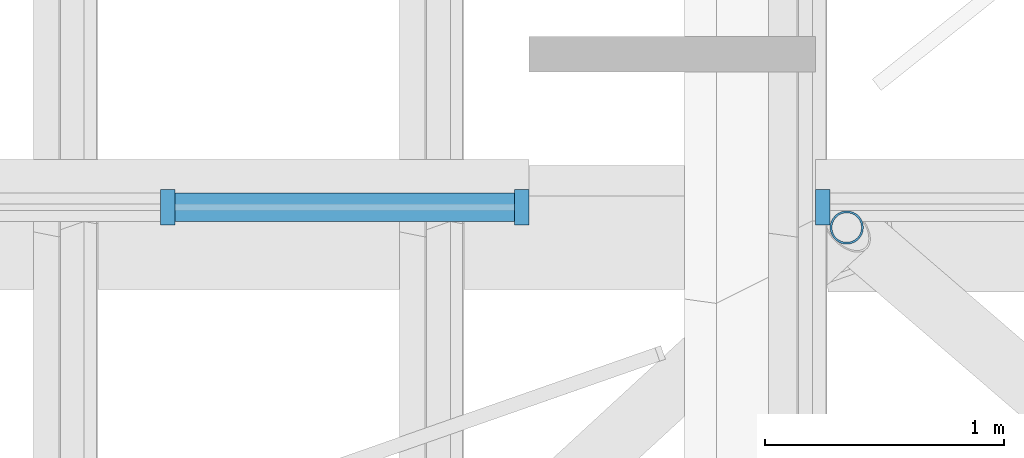
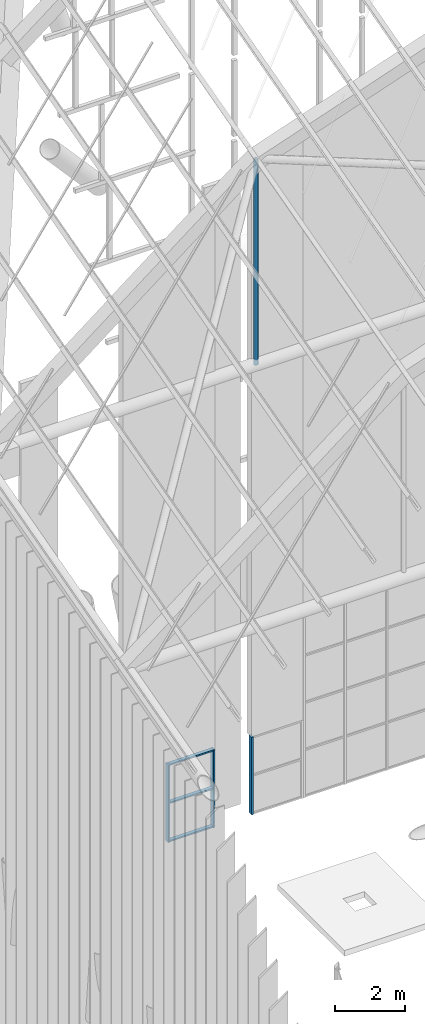
# One storey, part 54 of 126: 7 members, 2 elements without a shape of their own.
"""IFC4 building model written with IfcOpenShell, lengths in metres."""

from ifc_helpers import new_model, si_unit, direction, frame, origin, origin_2d, place, context, subcontext, project, spatial, rectangle, hollow_circle, extrude, material, material_profile, profile_set, type_object, element, aggregate, save


model = new_model("IFC4")

# Units and contexts
model_context = context("Model", 3, precision=1e-05, world=origin(), true_north=direction((0.0, 1.0)))
body_context = subcontext(model_context, "Body", "Model", "MODEL_VIEW")
ifc_project = project(units=[si_unit("LENGTHUNIT", "METRE"), si_unit("AREAUNIT", "SQUARE_METRE"), si_unit("VOLUMEUNIT", "CUBIC_METRE"), si_unit("PLANEANGLEUNIT", "RADIAN"), si_unit("MASSUNIT", "GRAM", prefix="KILO")], contexts=[model_context])

# Site, building, storey
site_placement = place(None, origin())
site = spatial("IfcSite", under=ifc_project, at=site_placement, CompositionType="ELEMENT")
building_placement = place(site_placement, origin())
building = spatial("IfcBuilding", under=site, at=building_placement, Name="Sava Quay Ferry Terminal", CompositionType="ELEMENT")
storey_placement = place(building_placement, frame((0.0, 0.0, 15.0)))
storey = spatial("IfcBuildingStorey", under=building, at=storey_placement, Name="L03", CompositionType="ELEMENT", Elevation=15.0)

# Curtain wall, members
ifc_material_1 = material(Name="Aluminium and glass curtain wall, double low-e glazed", Category="aluminium")
curtain_wall_type = type_object("IfcCurtainWallType", Name="Curtain wall CW-G gable", PredefinedType="NOTDEFINED", material=ifc_material_1)
curtain_wall_1_placement = place(storey_placement, origin())
curtain_wall_1 = element("IfcCurtainWall", 1, at=curtain_wall_1_placement, inside=storey, type_object=curtain_wall_type, Name="Curtain wall D-N L03 bay 11", PredefinedType="NOTDEFINED")
ifc_material_2 = material(Name="Aluminium EN AW-6063 T6", Category="aluminium")
ifc_material_profile_1 = material_profile(ifc_material_2, rectangle(XDim=0.14990234375, YDim=0.06005859375, at=origin_2d()), Name="Mullion 60x150 aluminium")
ifc_profile_set_1 = profile_set([ifc_material_profile_1], Name="Aluminium EN AW-6063 T6")
member_type_1 = type_object("IfcMemberType", Name="Mullion 60x150 aluminium", PredefinedType="MULLION", material=ifc_profile_set_1)
member_1_placement = place(storey_placement, frame((48.2900390625, 100.885009765625, 0.0), z_axis=(0.0, 0.0, 1.0), x_axis=(0.0, 1.0, 0.0)))
member_1 = element("IfcMember", 2, at=member_1_placement, type_object=member_type_1, Name="CW60 mullion 2", PredefinedType="MULLION", context=body_context, shape_type="SweptSolid", body=[
    extrude(rectangle(XDim=0.14990234375, YDim=0.06005859375, at=origin_2d()), origin(), (0.0, 0.0, 1.0), 2.699951171875),
])
member_2_placement = place(storey_placement, frame((49.77001953125, 100.885009765625, 0.0), z_axis=(0.0, 0.0, 1.0), x_axis=(0.0, 1.0, 0.0)))
member_2 = element("IfcMember", 3, at=member_2_placement, type_object=member_type_1, Name="CW60 mullion 3", PredefinedType="MULLION", context=body_context, shape_type="SweptSolid", body=[
    extrude(rectangle(XDim=0.14990234375, YDim=0.06005859375, at=origin_2d()), origin(), (0.0, 0.0, 1.0), 2.699951171875),
])

# Curtain wall, member
curtain_wall_2_placement = place(storey_placement, origin())
curtain_wall_2 = element("IfcCurtainWall", 4, at=curtain_wall_2_placement, inside=storey, type_object=curtain_wall_type, Name="Curtain wall D-N L03 bay 12", PredefinedType="NOTDEFINED")
member_3_placement = place(storey_placement, frame((51.030029296875, 100.885009765625, 0.0), z_axis=(0.0, 0.0, 1.0), x_axis=(0.0, 1.0, 0.0)))
member_3 = element("IfcMember", 5, at=member_3_placement, type_object=member_type_1, Name="CW64 mullion 1", PredefinedType="MULLION", context=body_context, shape_type="SweptSolid", body=[
    extrude(rectangle(XDim=0.14990234375, YDim=0.06005859375, at=origin_2d()), origin(), (0.0, 0.0, 1.0), 2.699951171875),
])
aggregate(curtain_wall_2, [member_3])

# Member
ifc_material_3 = material(Name="Steel S355", Category="steel")
ifc_material_profile_2 = material_profile(ifc_material_3, hollow_circle(Radius=0.06982421875, WallThickness=0.008056640625, at=origin_2d()), Name="CHS 139.7 x 8.0")
ifc_profile_set_2 = profile_set([ifc_material_profile_2], Name="Steel S355")
member_type_2 = type_object("IfcMemberType", Name="Tie hanger CHS 139.7x8", PredefinedType="USERDEFINED", material=ifc_profile_set_2)
member_4_placement = place(storey_placement, frame((51.1298828125, 100.800048828125, 15.625), z_axis=(0.0, 0.0, 1.0), x_axis=(1.0, 0.0, 0.0)))
element("IfcMember", 6, at=member_4_placement, inside=storey, type_object=member_type_2, Name="Departure hall tie hanger R6 V1", ObjectType="TIE HANGER", PredefinedType="USERDEFINED", context=body_context, shape_type="SweptSolid", body=[
    extrude(hollow_circle(Radius=0.06982421875, WallThickness=0.008056640625, at=origin_2d()), origin(), (0.0, 0.0, 1.0), 7.133056640625),
])

ifc_material_4 = material(Name="Aluminium EN AW-6063 T6", Category="aluminium")
ifc_material_profile_3 = material_profile(ifc_material_4, rectangle(XDim=0.1201171875, YDim=0.050048828125, at=origin_2d()), Name="Transom 50x120 aluminium")
ifc_profile_set_3 = profile_set([ifc_material_profile_3], Name="Aluminium EN AW-6063 T6")
member_type_3 = type_object("IfcMemberType", Name="Transom 50x120 aluminium", PredefinedType="USERDEFINED", material=ifc_profile_set_3)
member_5_placement = place(storey_placement, frame((48.320068359375, 100.885009765625, 0.02490234375), z_axis=(1.0, 0.0, 0.0), x_axis=(0.0, 1.0, 0.0)))
member_5 = element("IfcMember", 7, at=member_5_placement, type_object=member_type_3, Name="CW60 transom 2.1", ObjectType="TRANSOM", PredefinedType="USERDEFINED", context=body_context, shape_type="SweptSolid", body=[
    extrude(rectangle(XDim=0.1201171875, YDim=0.050048828125, at=origin_2d()), origin(), (0.0, 0.0, 1.0), 1.419921875),
])

member_6_placement = place(storey_placement, frame((48.320068359375, 100.885009765625, 1.35009765625), z_axis=(1.0, 0.0, 0.0), x_axis=(0.0, 1.0, 0.0)))
member_6 = element("IfcMember", 8, at=member_6_placement, type_object=member_type_3, Name="CW60 transom 2.2", ObjectType="TRANSOM", PredefinedType="USERDEFINED", context=body_context, shape_type="SweptSolid", body=[
    extrude(rectangle(XDim=0.1201171875, YDim=0.050048828125, at=origin_2d()), origin(), (0.0, 0.0, 1.0), 1.419921875),
])

member_7_placement = place(storey_placement, frame((48.320068359375, 100.885009765625, 2.675048828125), z_axis=(1.0, 0.0, 0.0), x_axis=(0.0, 1.0, 0.0)))
member_7 = element("IfcMember", 9, at=member_7_placement, type_object=member_type_3, Name="CW60 transom 2.3", ObjectType="TRANSOM", PredefinedType="USERDEFINED", context=body_context, shape_type="SweptSolid", body=[
    extrude(rectangle(XDim=0.1201171875, YDim=0.050048828125, at=origin_2d()), origin(), (0.0, 0.0, 1.0), 1.419921875),
])

aggregate(curtain_wall_1, [member_1, member_2, member_5, member_6, member_7])

save(model, "model.ifc")
